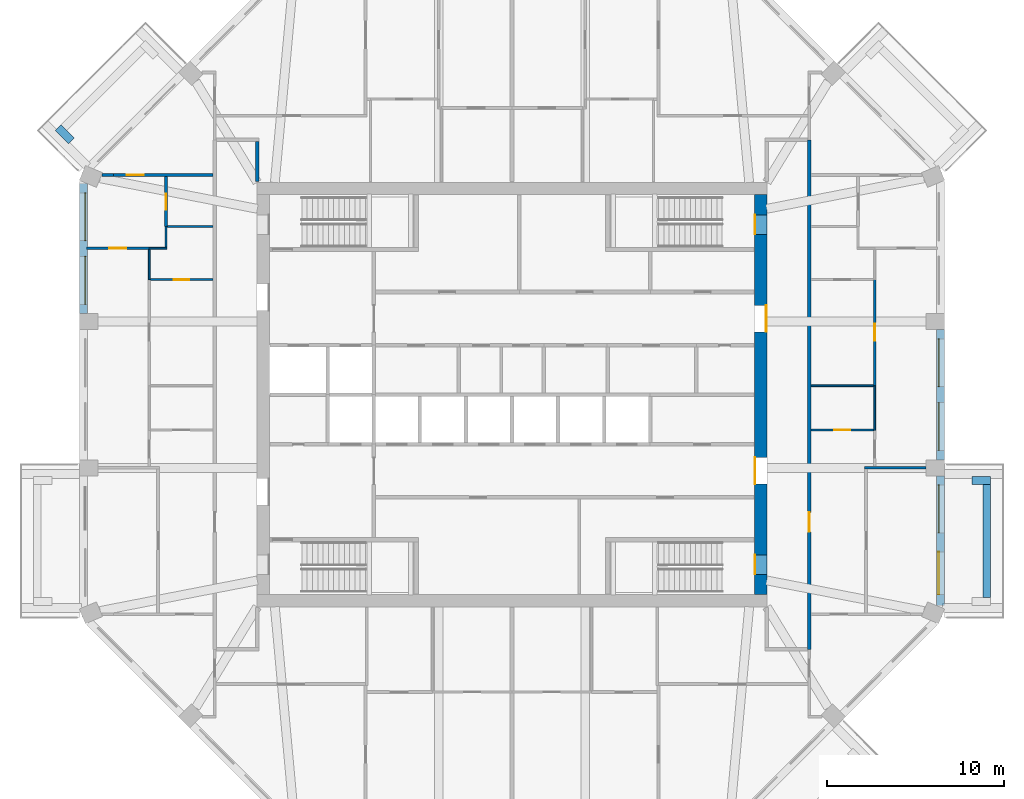
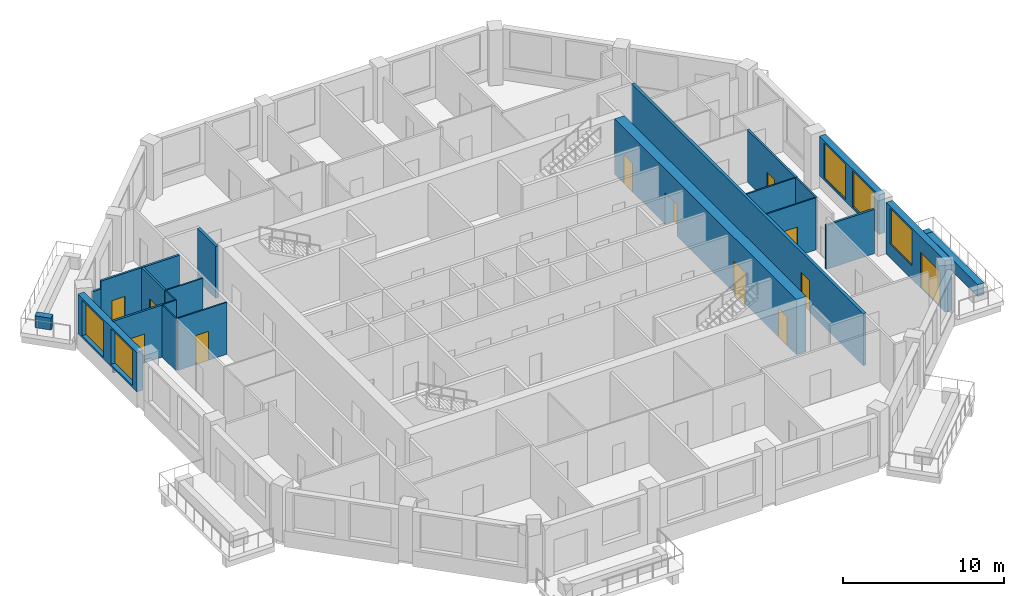
# One storey, part 6 of 10: 23 walls, 12 doors, 5 windows, 17 openings.
"""IFC4 building model written with IfcOpenShell, lengths in metres."""

from ifc_helpers import new_model, si_unit, direction, frame, frame_2d, origin, place, context, subcontext, project, spatial, rectangle, extrude, material, layer, layer_set, type_object, element, fill, save


model = new_model("IFC4")

# Units and contexts
model_context = context("Model", 3, precision=1e-05, world=origin(), true_north=direction((0.0, 1.0)))
body_context = subcontext(model_context, "Body", "Model", "MODEL_VIEW")
ifc_project = project(units=[si_unit("LENGTHUNIT", "METRE"), si_unit("AREAUNIT", "SQUARE_METRE"), si_unit("VOLUMEUNIT", "CUBIC_METRE"), si_unit("PLANEANGLEUNIT", "RADIAN"), si_unit("MASSUNIT", "GRAM", prefix="KILO")], contexts=[model_context])

# Site, building, storey
site_placement = place(None, origin())
site = spatial("IfcSite", under=ifc_project, at=site_placement, CompositionType="ELEMENT")
building_placement = place(site_placement, origin())
building = spatial("IfcBuilding", under=site, at=building_placement, Name="Msitu Wima Residences", CompositionType="ELEMENT")
storey_placement = place(building_placement, frame((0.0, 0.0, 187.5)))
storey = spatial("IfcBuildingStorey", under=building, at=storey_placement, Name="L43", CompositionType="ELEMENT", Elevation=187.5)

# Walls
ifc_material_1 = material(Name="Facing brick")
ifc_layer_1 = layer(ifc_material_1, 0.06494140625, Name="Facing brick")
ifc_material_2 = material(Name="Concrete C40/50", Category="concrete")
ifc_layer_2 = layer(ifc_material_2, 0.156005859375, Name="Concrete C40/50")
ifc_material_3 = material(Name="Waterproofing membrane")
ifc_layer_3 = layer(ifc_material_3, 0.00390625, Name="Waterproofing membrane")
ifc_material_4 = material(Name="Planting soil and planting")
ifc_layer_4 = layer(ifc_material_4, 0.22509765625, Name="Planting soil and planting")
ifc_layer_set_1 = layer_set([ifc_layer_1, ifc_layer_2, ifc_layer_3, ifc_layer_4], Name="Concrete C40/50")
wall_type_1 = type_object("IfcWallType", Name="Balcony planter PLANTER PL450", PredefinedType="USERDEFINED", material=ifc_layer_set_1)
wall_1_placement = place(storey_placement, frame((26.824951171875, -11.461669921875, 0.0), z_axis=(0.0, 0.0, 1.0), x_axis=(0.0, 1.0, 0.0)))
element("IfcWall", 1, at=wall_1_placement, inside=storey, type_object=wall_type_1, Name="Balcony planter E0 L43", ObjectType="PLANTER", PredefinedType="USERDEFINED", context=body_context, shape_type="SweptSolid", body=[
    extrude(rectangle(XDim=6.37451171875, YDim=0.449951171875, at=frame_2d((3.187255859375, 0.0))), origin(), (0.0, 0.0, 1.0), 0.89990234375),
])
for number, where, z_axis, x_axis, name in (
    (2, (26.0, -4.8623046875, 0.0), (0.0, 0.0, 1.0), (1.0, 0.0, 0.0), "Balcony planter E0 L43"),
    (3, (-24.901611328125, 14.338623046875, 0.0), (0.0, 0.0, 1.0), (-0.707106781187, 0.707106781187, 0.0), "Balcony planter NW1 L43"),
):
    element("IfcWall", number, at=place(storey_placement, frame(where, z_axis=z_axis, x_axis=x_axis)), inside=storey, type_object=wall_type_1, Name=name, ObjectType="PLANTER", PredefinedType="USERDEFINED", context=body_context, shape_type="SweptSolid", body=[
        extrude(rectangle(XDim=1.050048828125, YDim=0.449951171875, at=frame_2d((0.52490234375, 0.0))), origin(), (0.0, 0.0, 1.0), 0.89990234375),
    ])

# Wall, openings, door, window
ifc_material_5 = material(Name="Brick (red buff mix)", Category="masonry")
ifc_layer_5 = layer(ifc_material_5, 0.449951171875)
ifc_layer_set_2 = layer_set([ifc_layer_5], Name="Brick (red buff mix)")
wall_type_2 = type_object("IfcWallType", Name="Brick infill wall BW450", PredefinedType="SOLIDWALL", material=ifc_layer_set_2)
wall_2_placement = place(storey_placement, frame((24.22509765625, -11.9248046875, 0.0), z_axis=(0.0, 0.0, 1.0), x_axis=(0.0, 1.0, 0.0)))
wall_2 = element("IfcWall", 4, at=wall_2_placement, inside=storey, type_object=wall_type_2, Name="Brick infill wall L43 E0", PredefinedType="SOLIDWALL", context=body_context, shape_type="SweptSolid", body=[
    extrude(rectangle(XDim=7.337646484375, YDim=0.449951171875, at=frame_2d((3.6689453125, 0.0))), origin(), (0.0, 0.0, 1.0), 3.89990234375),
])
opening_1_placement = place(wall_2_placement, frame((0.63427734375, 0.0, 0.0)))
opening_1 = element("IfcOpeningElement", 5, at=opening_1_placement, cuts=wall_2, Name="Opening D43-45.001", PredefinedType="OPENING", context=body_context, shape_type="SweptSolid", body=[
    extrude(rectangle(XDim=2.39990234375, YDim=2.699951171875, at=frame_2d((1.199951171875, 1.35009765625))), frame((0.0, 0.23486328125, 0.0), z_axis=(0.0, -1.0, 0.0), x_axis=(1.0, 0.0, 0.0)), (0.0, 0.0, 1.0), 0.469970703125),
])
opening_2_placement = place(wall_2_placement, frame((4.11865234375, 0.0, 1.050048828125)))
opening_2 = element("IfcOpeningElement", 6, at=opening_2_placement, cuts=wall_2, Name="Opening W43-45.001", PredefinedType="OPENING", context=body_context, shape_type="SweptSolid", body=[
    extrude(rectangle(XDim=2.699951171875, YDim=2.699951171875, at=frame_2d((1.35009765625, 1.35009765625))), frame((0.0, 0.23486328125, 0.0), z_axis=(0.0, -1.0, 0.0), x_axis=(1.0, 0.0, 0.0)), (0.0, 0.0, 1.0), 0.469970703125),
])
ifc_material_6 = material(Name="Anodised aluminium, bronze finish, clear low-emissivity double glazing", Category="aluminium")
door_type_1 = type_object("IfcDoorType", Name="Balcony door D2400x2700", OperationType="SLIDING_TO_LEFT", PredefinedType="DOOR", material=ifc_material_6)
door_1_placement = place(opening_1_placement, origin())
door_1 = element("IfcDoor", 7, at=door_1_placement, inside=storey, type_object=door_type_1, Name="Balcony door L43 E0", OperationType="SINGLE_SWING_LEFT", OverallHeight=2.699951171875, OverallWidth=2.39990234375, PredefinedType="DOOR", context=body_context, shape_type="SweptSolid", body=[
    extrude(rectangle(XDim=2.39990234375, YDim=2.699951171875, at=frame_2d((1.199951171875, 1.35009765625))), frame((0.0, 0.1298828125, 0.0), z_axis=(0.0, -1.0, 0.0), x_axis=(1.0, 0.0, 0.0)), (0.0, 0.0, 1.0), 0.050048828125),
])
fill(opening_1, door_1)
window_type = type_object("IfcWindowType", Name="Window W2700x2700", PartitioningType="DOUBLE_PANEL_VERTICAL", PredefinedType="WINDOW", material=ifc_material_6)
window_1_placement = place(opening_2_placement, origin())
window_1 = element("IfcWindow", 8, at=window_1_placement, inside=storey, type_object=window_type, Name="Window L43 E0.2", OverallHeight=2.699951171875, OverallWidth=2.699951171875, PartitioningType="SINGLE_PANEL", PredefinedType="WINDOW", context=body_context, shape_type="SweptSolid", body=[
    extrude(rectangle(XDim=2.699951171875, YDim=2.699951171875, at=frame_2d((1.35009765625, 1.35009765625))), frame((0.0, 0.135009765625, 0.0), z_axis=(0.0, -1.0, 0.0), x_axis=(1.0, 0.0, 0.0)), (0.0, 0.0, 1.0), 0.06005859375),
])
fill(opening_2, window_1)

# Wall, openings, windows
wall_3_placement = place(storey_placement, frame((24.22509765625, -3.687255859375, 0.89990234375), z_axis=(0.0, 0.0, 1.0), x_axis=(0.0, 1.0, 0.0)))
wall_3 = element("IfcWall", 9, at=wall_3_placement, inside=storey, type_object=wall_type_2, Name="Brick infill wall L43 E1", PredefinedType="SOLIDWALL", context=body_context, shape_type="SweptSolid", body=[
    extrude(rectangle(XDim=7.37451171875, YDim=0.449951171875, at=frame_2d((3.687255859375, 0.0))), origin(), (0.0, 0.0, 1.0), 3.0),
])
opening_3_placement = place(wall_3_placement, frame((0.537353515625, 0.0, 0.14990234375)))
opening_3 = element("IfcOpeningElement", 10, at=opening_3_placement, cuts=wall_3, Name="Opening W43-45.002", PredefinedType="OPENING", context=body_context, shape_type="SweptSolid", body=[
    extrude(rectangle(XDim=2.699951171875, YDim=2.699951171875, at=frame_2d((1.35009765625, 1.35009765625))), frame((0.0, 0.23486328125, 0.0), z_axis=(0.0, -1.0, 0.0), x_axis=(1.0, 0.0, 0.0)), (0.0, 0.0, 1.0), 0.469970703125),
])
opening_4_placement = place(wall_3_placement, frame((4.13720703125, 0.0, 0.14990234375)))
opening_4 = element("IfcOpeningElement", 11, at=opening_4_placement, cuts=wall_3, Name="Opening W43-45.003", PredefinedType="OPENING", context=body_context, shape_type="SweptSolid", body=[
    extrude(rectangle(XDim=2.699951171875, YDim=2.699951171875, at=frame_2d((1.35009765625, 1.35009765625))), frame((0.0, 0.23486328125, 0.0), z_axis=(0.0, -1.0, 0.0), x_axis=(1.0, 0.0, 0.0)), (0.0, 0.0, 1.0), 0.469970703125),
])
window_2_placement = place(opening_3_placement, origin())
window_2 = element("IfcWindow", 12, at=window_2_placement, inside=storey, type_object=window_type, Name="Window L43 E1.1", OverallHeight=2.699951171875, OverallWidth=2.699951171875, PartitioningType="SINGLE_PANEL", PredefinedType="WINDOW", context=body_context, shape_type="SweptSolid", body=[
    extrude(rectangle(XDim=2.699951171875, YDim=2.699951171875, at=frame_2d((1.35009765625, 1.35009765625))), frame((0.0, 0.135009765625, 0.0), z_axis=(0.0, -1.0, 0.0), x_axis=(1.0, 0.0, 0.0)), (0.0, 0.0, 1.0), 0.06005859375),
])
fill(opening_3, window_2)
window_3_placement = place(opening_4_placement, origin())
window_3 = element("IfcWindow", 13, at=window_3_placement, inside=storey, type_object=window_type, Name="Window L43 E1.2", OverallHeight=2.699951171875, OverallWidth=2.699951171875, PartitioningType="SINGLE_PANEL", PredefinedType="WINDOW", context=body_context, shape_type="SweptSolid", body=[
    extrude(rectangle(XDim=2.699951171875, YDim=2.699951171875, at=frame_2d((1.35009765625, 1.35009765625))), frame((0.0, 0.135009765625, 0.0), z_axis=(0.0, -1.0, 0.0), x_axis=(1.0, 0.0, 0.0)), (0.0, 0.0, 1.0), 0.06005859375),
])
fill(opening_4, window_3)

wall_4_placement = place(storey_placement, frame((-24.22509765625, 11.9248046875, 0.89990234375), z_axis=(0.0, 0.0, 1.0), x_axis=(0.0, -1.0, 0.0)))
wall_4 = element("IfcWall", 14, at=wall_4_placement, inside=storey, type_object=wall_type_2, Name="Brick infill wall L43 W0", PredefinedType="SOLIDWALL", context=body_context, shape_type="SweptSolid", body=[
    extrude(rectangle(XDim=7.337646484375, YDim=0.449951171875, at=frame_2d((3.6689453125, 0.0))), origin(), (0.0, 0.0, 1.0), 3.0),
])
opening_5_placement = place(wall_4_placement, frame((0.518798828125, 0.0, 0.14990234375)))
opening_5 = element("IfcOpeningElement", 15, at=opening_5_placement, cuts=wall_4, Name="Opening W43-45.029", PredefinedType="OPENING", context=body_context, shape_type="SweptSolid", body=[
    extrude(rectangle(XDim=2.699951171875, YDim=2.699951171875, at=frame_2d((1.35009765625, 1.35009765625))), frame((0.0, 0.23486328125, 0.0), z_axis=(0.0, -1.0, 0.0), x_axis=(1.0, 0.0, 0.0)), (0.0, 0.0, 1.0), 0.469970703125),
])
opening_6_placement = place(wall_4_placement, frame((4.11865234375, 0.0, 0.14990234375)))
opening_6 = element("IfcOpeningElement", 16, at=opening_6_placement, cuts=wall_4, Name="Opening W43-45.030", PredefinedType="OPENING", context=body_context, shape_type="SweptSolid", body=[
    extrude(rectangle(XDim=2.699951171875, YDim=2.699951171875, at=frame_2d((1.35009765625, 1.35009765625))), frame((0.0, 0.23486328125, 0.0), z_axis=(0.0, -1.0, 0.0), x_axis=(1.0, 0.0, 0.0)), (0.0, 0.0, 1.0), 0.469970703125),
])
window_4_placement = place(opening_5_placement, origin())
window_4 = element("IfcWindow", 17, at=window_4_placement, inside=storey, type_object=window_type, Name="Window L43 W0.1", OverallHeight=2.699951171875, OverallWidth=2.699951171875, PartitioningType="SINGLE_PANEL", PredefinedType="WINDOW", context=body_context, shape_type="SweptSolid", body=[
    extrude(rectangle(XDim=2.699951171875, YDim=2.699951171875, at=frame_2d((1.35009765625, 1.35009765625))), frame((0.0, 0.135009765625, 0.0), z_axis=(0.0, -1.0, 0.0), x_axis=(1.0, 0.0, 0.0)), (0.0, 0.0, 1.0), 0.06005859375),
])
fill(opening_5, window_4)
window_5_placement = place(opening_6_placement, origin())
window_5 = element("IfcWindow", 18, at=window_5_placement, inside=storey, type_object=window_type, Name="Window L43 W0.2", OverallHeight=2.699951171875, OverallWidth=2.699951171875, PartitioningType="SINGLE_PANEL", PredefinedType="WINDOW", context=body_context, shape_type="SweptSolid", body=[
    extrude(rectangle(XDim=2.699951171875, YDim=2.699951171875, at=frame_2d((1.35009765625, 1.35009765625))), frame((0.0, 0.135009765625, 0.0), z_axis=(0.0, -1.0, 0.0), x_axis=(1.0, 0.0, 0.0)), (0.0, 0.0, 1.0), 0.06005859375),
])
fill(opening_6, window_5)

# Wall, openings, doors
ifc_material_7 = material(Name="Concrete C60/75", Category="concrete")
ifc_layer_6 = layer(ifc_material_7, 0.699951171875)
ifc_layer_set_3 = layer_set([ifc_layer_6], Name="Concrete C60/75")
wall_type_3 = type_object("IfcWallType", Name="Core wall CW700 C60/75", PredefinedType="SHEAR", material=ifc_layer_set_3)
wall_5_placement = place(storey_placement, frame((14.050048828125, -11.300048828125, 0.0), z_axis=(0.0, 0.0, 1.0), x_axis=(0.0, 1.0, 0.0)))
wall_5 = element("IfcWall", 19, at=wall_5_placement, inside=storey, type_object=wall_type_3, Name="Core wall", PredefinedType="SHEAR", context=body_context, shape_type="SweptSolid", body=[
    extrude(rectangle(XDim=22.60009765625, YDim=0.699951171875, at=frame_2d((11.300048828125, 0.0))), origin(), (0.0, 0.0, 1.0), 4.199951171875),
])
opening_7_placement = place(wall_5_placement, frame((20.35009765625, 0.0, 0.0)))
opening_7 = element("IfcOpeningElement", 20, at=opening_7_placement, cuts=wall_5, Name="Opening D43-45.073", PredefinedType="OPENING", context=body_context, shape_type="SweptSolid", body=[
    extrude(rectangle(XDim=1.10009765625, YDim=2.199951171875, at=frame_2d((0.550048828125, 1.10009765625))), frame((0.0, 0.35986328125, 0.0), z_axis=(0.0, -1.0, 0.0), x_axis=(1.0, 0.0, 0.0)), (0.0, 0.0, 1.0), 0.719970703125),
])
opening_8_placement = place(wall_5_placement, frame((1.14990234375, 0.0, 0.0)))
opening_8 = element("IfcOpeningElement", 21, at=opening_8_placement, cuts=wall_5, Name="Opening D43-45.074", PredefinedType="OPENING", context=body_context, shape_type="SweptSolid", body=[
    extrude(rectangle(XDim=1.10009765625, YDim=2.199951171875, at=frame_2d((0.550048828125, 1.10009765625))), frame((0.0, 0.35986328125, 0.0), z_axis=(0.0, -1.0, 0.0), x_axis=(1.0, 0.0, 0.0)), (0.0, 0.0, 1.0), 0.719970703125),
])
opening_9_placement = place(wall_5_placement, frame((14.85009765625, 0.0, 0.0)))
opening_9 = element("IfcOpeningElement", 22, at=opening_9_placement, cuts=wall_5, Name="Opening D43-45.060", PredefinedType="OPENING", context=body_context, shape_type="SweptSolid", body=[
    extrude(rectangle(XDim=1.5, YDim=2.39990234375, at=frame_2d((0.75, 1.199951171875))), frame((0.0, 0.35986328125, 0.0), z_axis=(0.0, -1.0, 0.0), x_axis=(1.0, 0.0, 0.0)), (0.0, 0.0, 1.0), 0.719970703125),
])
opening_10_placement = place(wall_5_placement, frame((6.25, 0.0, 0.0)))
opening_10 = element("IfcOpeningElement", 23, at=opening_10_placement, cuts=wall_5, Name="Opening D43-45.061", PredefinedType="OPENING", context=body_context, shape_type="SweptSolid", body=[
    extrude(rectangle(XDim=1.5, YDim=2.39990234375, at=frame_2d((0.75, 1.199951171875))), frame((0.0, 0.35986328125, 0.0), z_axis=(0.0, -1.0, 0.0), x_axis=(1.0, 0.0, 0.0)), (0.0, 0.0, 1.0), 0.719970703125),
])
ifc_material_8 = material(Name="Steel framed glazed door, fire resisting", Category="steel")
door_type_2 = type_object("IfcDoorType", Name="Lobby door D07 1500x2400", OperationType="DOUBLE_DOOR_SINGLE_SWING", PredefinedType="DOOR", material=ifc_material_8)
door_2_placement = place(opening_9_placement, origin())
door_2 = element("IfcDoor", 24, at=door_2_placement, inside=storey, type_object=door_type_2, Name="Lobby door", OperationType="DOUBLE_DOOR_SINGLE_SWING", OverallHeight=2.39990234375, OverallWidth=1.5, PredefinedType="DOOR", context=body_context, shape_type="SweptSolid", body=[
    extrude(rectangle(XDim=1.5, YDim=2.39990234375, at=frame_2d((0.75, 1.199951171875))), frame((0.0, -0.294921875, 0.0), z_axis=(0.0, -1.0, 0.0), x_axis=(1.0, 0.0, 0.0)), (0.0, 0.0, 1.0), 0.050048828125),
])
fill(opening_9, door_2)
door_3_placement = place(opening_10_placement, origin())
door_3 = element("IfcDoor", 25, at=door_3_placement, inside=storey, type_object=door_type_2, Name="Lobby door", OperationType="DOUBLE_DOOR_SINGLE_SWING", OverallHeight=2.39990234375, OverallWidth=1.5, PredefinedType="DOOR", context=body_context, shape_type="SweptSolid", body=[
    extrude(rectangle(XDim=1.5, YDim=2.39990234375, at=frame_2d((0.75, 1.199951171875))), frame((0.0, 0.34521484375, 0.0), z_axis=(0.0, -1.0, 0.0), x_axis=(1.0, 0.0, 0.0)), (0.0, 0.0, 1.0), 0.050048828125),
])
fill(opening_10, door_3)
ifc_material_9 = material(Name="Steel door, fire resisting, panic bar", Category="steel")
door_type_3 = type_object("IfcDoorType", Name="Stair door D06 1100x2200", OperationType="SINGLE_SWING_LEFT", PredefinedType="DOOR", material=ifc_material_9)
door_4_placement = place(opening_7_placement, origin())
door_4 = element("IfcDoor", 26, at=door_4_placement, inside=storey, type_object=door_type_3, Name="Stair door", OperationType="SINGLE_SWING_LEFT", OverallHeight=2.199951171875, OverallWidth=1.10009765625, PredefinedType="DOOR", context=body_context, shape_type="SweptSolid", body=[
    extrude(rectangle(XDim=1.10009765625, YDim=2.199951171875, at=frame_2d((0.550048828125, 1.10009765625))), frame((0.0, 0.34521484375, 0.0), z_axis=(0.0, -1.0, 0.0), x_axis=(1.0, 0.0, 0.0)), (0.0, 0.0, 1.0), 0.050048828125),
])
fill(opening_7, door_4)
door_5_placement = place(opening_8_placement, origin())
door_5 = element("IfcDoor", 27, at=door_5_placement, inside=storey, type_object=door_type_3, Name="Stair door", OperationType="SINGLE_SWING_RIGHT", OverallHeight=2.199951171875, OverallWidth=1.10009765625, PredefinedType="DOOR", context=body_context, shape_type="SweptSolid", body=[
    extrude(rectangle(XDim=1.10009765625, YDim=2.199951171875, at=frame_2d((0.550048828125, 1.10009765625))), frame((0.0, 0.34521484375, 0.0), z_axis=(0.0, -1.0, 0.0), x_axis=(1.0, 0.0, 0.0)), (0.0, 0.0, 1.0), 0.050048828125),
])
fill(opening_8, door_5)

# Wall
ifc_material_10 = material(Name="Plaster")
ifc_layer_7 = layer(ifc_material_10, 0.011962890625, Name="Plaster")
ifc_material_11 = material(Name="Concrete blockwork", Category="masonry")
ifc_layer_8 = layer(ifc_material_11, 0.176025390625, Name="Concrete blockwork")
ifc_layer_9 = layer(ifc_material_10, 0.011962890625, Name="Plaster")
ifc_layer_set_4 = layer_set([ifc_layer_7, ifc_layer_8, ifc_layer_9], Name="Concrete blockwork")
wall_type_4 = type_object("IfcWallType", Name="Corridor wall FW200", PredefinedType="PARTITIONING", material=ifc_layer_set_4)
wall_6_placement = place(storey_placement, frame((-14.39990234375, 12.030029296875, 0.0), z_axis=(0.0, 0.0, 1.0), x_axis=(0.0, 1.0, 0.0)))
element("IfcWall", 28, at=wall_6_placement, inside=storey, type_object=wall_type_4, Name="Corridor wall", PredefinedType="PARTITIONING", context=body_context, shape_type="SweptSolid", body=[
    extrude(rectangle(XDim=2.27001953125, YDim=0.199951171875, at=frame_2d((1.135009765625, 0.0))), origin(), (0.0, 0.0, 1.0), 3.949951171875),
])

# Wall, opening, door
wall_7_placement = place(storey_placement, frame((16.800048828125, -14.39990234375, 0.0), z_axis=(0.0, 0.0, 1.0), x_axis=(0.0, 1.0, 0.0)))
wall_7 = element("IfcWall", 29, at=wall_7_placement, inside=storey, type_object=wall_type_4, Name="Corridor wall", PredefinedType="PARTITIONING", context=body_context, shape_type="SweptSolid", body=[
    extrude(rectangle(XDim=28.7998046875, YDim=0.199951171875, at=frame_2d((14.39990234375, 0.0))), origin(), (0.0, 0.0, 1.0), 3.949951171875),
])
opening_11_placement = place(wall_7_placement, frame((6.64990234375, 0.0, 0.0)))
opening_11 = element("IfcOpeningElement", 30, at=opening_11_placement, cuts=wall_7, Name="Opening D43-45.008", PredefinedType="OPENING", context=body_context, shape_type="SweptSolid", body=[
    extrude(rectangle(XDim=1.10009765625, YDim=2.39990234375, at=frame_2d((0.550048828125, 1.199951171875))), frame((0.0, 0.10986328125, 0.0), z_axis=(0.0, -1.0, 0.0), x_axis=(1.0, 0.0, 0.0)), (0.0, 0.0, 1.0), 0.219970703125),
])
ifc_material_12 = material(Name="Timber flush door, fire resisting, self-closing", Category="wood")
door_type_4 = type_object("IfcDoorType", Name="Flat entrance door D01 1100x2400", OperationType="SINGLE_SWING_LEFT", PredefinedType="DOOR", material=ifc_material_12)
door_6_placement = place(opening_11_placement, origin())
door_6 = element("IfcDoor", 31, at=door_6_placement, inside=storey, type_object=door_type_4, Name="Flat entrance door", OperationType="SINGLE_SWING_RIGHT", OverallHeight=2.39990234375, OverallWidth=1.10009765625, PredefinedType="DOOR", context=body_context, shape_type="SweptSolid", body=[
    extrude(rectangle(XDim=1.10009765625, YDim=2.39990234375, at=frame_2d((0.550048828125, 1.199951171875))), frame((0.0, 0.02490234375, 0.0), z_axis=(0.0, -1.0, 0.0), x_axis=(1.0, 0.0, 0.0)), (0.0, 0.0, 1.0), 0.050048828125),
])
fill(opening_11, door_6)

ifc_layer_10 = layer(ifc_material_10, 0.011962890625, Name="Plaster")
ifc_layer_11 = layer(ifc_material_11, 0.1259765625, Name="Concrete blockwork")
ifc_layer_12 = layer(ifc_material_10, 0.011962890625, Name="Plaster")
ifc_layer_set_5 = layer_set([ifc_layer_10, ifc_layer_11, ifc_layer_12], Name="Concrete blockwork")
wall_type_5 = type_object("IfcWallType", Name="Partition PW150", PredefinedType="PARTITIONING", material=ifc_layer_set_5)
wall_8_placement = place(storey_placement, frame((-24.054931640625, 8.27001953125, 0.0), z_axis=(0.0, 0.0, 1.0), x_axis=(1.0, 0.0, 0.0)))
wall_8 = element("IfcWall", 32, at=wall_8_placement, inside=storey, type_object=wall_type_5, Name="Partition", PredefinedType="PARTITIONING", context=body_context, shape_type="SweptSolid", body=[
    extrude(rectangle(XDim=3.554931640625, YDim=0.14990234375, at=frame_2d((1.77734375, 0.0))), origin(), (0.0, 0.0, 1.0), 3.949951171875),
])
opening_12_placement = place(wall_8_placement, frame((1.300048828125, 0.0, 0.0)))
opening_12 = element("IfcOpeningElement", 33, at=opening_12_placement, cuts=wall_8, Name="Opening D43-45.045", PredefinedType="OPENING", context=body_context, shape_type="SweptSolid", body=[
    extrude(rectangle(XDim=0.949951171875, YDim=2.199951171875, at=frame_2d((0.47509765625, 1.10009765625))), frame((0.0, 0.0849609375, 0.0), z_axis=(0.0, -1.0, 0.0), x_axis=(1.0, 0.0, 0.0)), (0.0, 0.0, 1.0), 0.169921875),
])
ifc_material_13 = material(Name="Timber flush door", Category="wood")
door_type_5 = type_object("IfcDoorType", Name="Room door D12 950x2200", OperationType="SINGLE_SWING_LEFT", PredefinedType="DOOR", material=ifc_material_13)
door_7_placement = place(opening_12_placement, origin())
door_7 = element("IfcDoor", 34, at=door_7_placement, inside=storey, type_object=door_type_5, Name="Room door", OperationType="SINGLE_SWING_LEFT", OverallHeight=2.199951171875, OverallWidth=0.949951171875, PredefinedType="DOOR", context=body_context, shape_type="SweptSolid", body=[
    extrude(rectangle(XDim=0.949951171875, YDim=2.199951171875, at=frame_2d((0.47509765625, 1.10009765625))), frame((0.0, 0.02490234375, 0.0), z_axis=(0.0, -1.0, 0.0), x_axis=(1.0, 0.0, 0.0)), (0.0, 0.0, 1.0), 0.050048828125),
])
fill(opening_12, door_7)

# Wall
wall_9_placement = place(storey_placement, frame((-23.169677734375, 12.409912109375, 0.0), z_axis=(0.0, 0.0, 1.0), x_axis=(1.0, 0.0, 0.0)))
element("IfcWall", 35, at=wall_9_placement, inside=storey, type_object=wall_type_5, Name="Partition", PredefinedType="PARTITIONING", context=body_context, shape_type="SweptSolid", body=[
    extrude(rectangle(XDim=0.640380859375, YDim=0.14990234375, at=frame_2d((0.3203125, 0.0))), origin(), (0.0, 0.0, 1.0), 3.35009765625),
])

# Wall, opening, door
wall_10_placement = place(storey_placement, frame((-22.529296875, 12.409912109375, 0.0), z_axis=(0.0, 0.0, 1.0), x_axis=(1.0, 0.0, 0.0)))
wall_10 = element("IfcWall", 36, at=wall_10_placement, inside=storey, type_object=wall_type_5, Name="Partition", PredefinedType="PARTITIONING", context=body_context, shape_type="SweptSolid", body=[
    extrude(rectangle(XDim=5.62939453125, YDim=0.14990234375, at=frame_2d((2.814697265625, 0.0))), origin(), (0.0, 0.0, 1.0), 3.949951171875),
])
opening_13_placement = place(wall_10_placement, frame((0.759521484375, 0.0, 0.0)))
opening_13 = element("IfcOpeningElement", 37, at=opening_13_placement, cuts=wall_10, Name="Opening D43-45.046", PredefinedType="OPENING", context=body_context, shape_type="SweptSolid", body=[
    extrude(rectangle(XDim=0.949951171875, YDim=2.199951171875, at=frame_2d((0.47509765625, 1.10009765625))), frame((0.0, 0.0849609375, 0.0), z_axis=(0.0, -1.0, 0.0), x_axis=(1.0, 0.0, 0.0)), (0.0, 0.0, 1.0), 0.169921875),
])
door_8_placement = place(opening_13_placement, origin())
door_8 = element("IfcDoor", 38, at=door_8_placement, inside=storey, type_object=door_type_5, Name="Room door", OperationType="SINGLE_SWING_LEFT", OverallHeight=2.199951171875, OverallWidth=0.949951171875, PredefinedType="DOOR", context=body_context, shape_type="SweptSolid", body=[
    extrude(rectangle(XDim=0.949951171875, YDim=2.199951171875, at=frame_2d((0.47509765625, 1.10009765625))), frame((0.0, 0.02490234375, 0.0), z_axis=(0.0, -1.0, 0.0), x_axis=(1.0, 0.0, 0.0)), (0.0, 0.0, 1.0), 0.050048828125),
])
fill(opening_13, door_8)

wall_11_placement = place(storey_placement, frame((-19.550048828125, 9.5, 0.0), z_axis=(0.0, 0.0, 1.0), x_axis=(0.0, 1.0, 0.0)))
wall_11 = element("IfcWall", 39, at=wall_11_placement, inside=storey, type_object=wall_type_5, Name="Partition", PredefinedType="PARTITIONING", context=body_context, shape_type="SweptSolid", body=[
    extrude(rectangle(XDim=2.8349609375, YDim=0.14990234375, at=frame_2d((1.41748046875, 0.0))), origin(), (0.0, 0.0, 1.0), 3.949951171875),
])
opening_14_placement = place(wall_11_placement, frame((0.949951171875, 0.0, 0.0)))
opening_14 = element("IfcOpeningElement", 40, at=opening_14_placement, cuts=wall_11, Name="Opening D43-45.033", PredefinedType="OPENING", context=body_context, shape_type="SweptSolid", body=[
    extrude(rectangle(XDim=0.89990234375, YDim=2.199951171875, at=frame_2d((0.449951171875, 1.10009765625))), frame((0.0, 0.0849609375, 0.0), z_axis=(0.0, -1.0, 0.0), x_axis=(1.0, 0.0, 0.0)), (0.0, 0.0, 1.0), 0.169921875),
])
door_type_6 = type_object("IfcDoorType", Name="Service door D05 900x2200", OperationType="SINGLE_SWING_LEFT", PredefinedType="DOOR", material=ifc_material_13)
door_9_placement = place(opening_14_placement, origin())
door_9 = element("IfcDoor", 41, at=door_9_placement, inside=storey, type_object=door_type_6, Name="Service door", OperationType="SINGLE_SWING_RIGHT", OverallHeight=2.199951171875, OverallWidth=0.89990234375, PredefinedType="DOOR", context=body_context, shape_type="SweptSolid", body=[
    extrude(rectangle(XDim=0.89990234375, YDim=2.199951171875, at=frame_2d((0.449951171875, 1.10009765625))), frame((0.0, 0.02490234375, 0.0), z_axis=(0.0, -1.0, 0.0), x_axis=(1.0, 0.0, 0.0)), (0.0, 0.0, 1.0), 0.050048828125),
])
fill(opening_14, door_9)

# Wall
wall_12_placement = place(storey_placement, frame((19.925048828125, -4.139892578125, 0.0), z_axis=(0.0, 0.0, 1.0), x_axis=(1.0, 0.0, 0.0)))
element("IfcWall", 42, at=wall_12_placement, inside=storey, type_object=wall_type_5, Name="Partition", PredefinedType="PARTITIONING", context=body_context, shape_type="SweptSolid", body=[
    extrude(rectangle(XDim=3.474853515625, YDim=0.14990234375, at=frame_2d((1.7373046875, 0.0))), origin(), (0.0, 0.0, 1.0), 3.35009765625),
])

# Wall, opening, door
wall_13_placement = place(storey_placement, frame((20.5, 0.5, 0.0), z_axis=(0.0, 0.0, 1.0), x_axis=(0.0, 1.0, 0.0)))
wall_13 = element("IfcWall", 43, at=wall_13_placement, inside=storey, type_object=wall_type_5, Name="Partition", PredefinedType="PARTITIONING", context=body_context, shape_type="SweptSolid", body=[
    extrude(rectangle(XDim=6.0, YDim=0.14990234375, at=frame_2d((3.0, 0.0))), origin(), (0.0, 0.0, 1.0), 3.949951171875),
])
opening_15_placement = place(wall_13_placement, frame((2.550048828125, 0.0, 0.0)))
opening_15 = element("IfcOpeningElement", 44, at=opening_15_placement, cuts=wall_13, Name="Opening D43-45.010", PredefinedType="OPENING", context=body_context, shape_type="SweptSolid", body=[
    extrude(rectangle(XDim=0.949951171875, YDim=2.199951171875, at=frame_2d((0.47509765625, 1.10009765625))), frame((0.0, 0.0849609375, 0.0), z_axis=(0.0, -1.0, 0.0), x_axis=(1.0, 0.0, 0.0)), (0.0, 0.0, 1.0), 0.169921875),
])
door_10_placement = place(opening_15_placement, origin())
door_10 = element("IfcDoor", 45, at=door_10_placement, inside=storey, type_object=door_type_5, Name="Room door", OperationType="SINGLE_SWING_LEFT", OverallHeight=2.199951171875, OverallWidth=0.949951171875, PredefinedType="DOOR", context=body_context, shape_type="SweptSolid", body=[
    extrude(rectangle(XDim=0.949951171875, YDim=2.199951171875, at=frame_2d((0.47509765625, 1.10009765625))), frame((0.0, 0.02490234375, 0.0), z_axis=(0.0, -1.0, 0.0), x_axis=(1.0, 0.0, 0.0)), (0.0, 0.0, 1.0), 0.050048828125),
])
fill(opening_15, door_10)

# Wall
ifc_material_14 = material(Name="Ceramic tiles")
ifc_layer_13 = layer(ifc_material_14, 0.008056640625, Name="Ceramic tiles")
ifc_material_15 = material(Name="Moisture-resistant board")
ifc_layer_14 = layer(ifc_material_15, 0.012451171875, Name="Moisture-resistant board")
ifc_material_16 = material(Name="Light-gauge stud framing with mineral wool")
ifc_layer_15 = layer(ifc_material_16, 0.06689453125, Name="Light-gauge stud framing with mineral wool")
ifc_layer_16 = layer(ifc_material_15, 0.012451171875, Name="Moisture-resistant board")
ifc_layer_set_6 = layer_set([ifc_layer_13, ifc_layer_14, ifc_layer_15, ifc_layer_16], Name="Light-gauge stud framing with mineral wool")
wall_type_6 = type_object("IfcWallType", Name="Wet wall PW100", PredefinedType="PARTITIONING", material=ifc_layer_set_6)
wall_14_placement = place(storey_placement, frame((-20.5, 6.5, 0.0), z_axis=(0.0, 0.0, 1.0), x_axis=(0.0, 1.0, 0.0)))
element("IfcWall", 46, at=wall_14_placement, inside=storey, type_object=wall_type_6, Name="Wet wall", PredefinedType="PARTITIONING", context=body_context, shape_type="SweptSolid", body=[
    extrude(rectangle(XDim=1.695068359375, YDim=0.10009765625, at=frame_2d((0.84765625, 0.0))), origin(), (0.0, 0.0, 1.0), 3.949951171875),
])

# Wall, opening, door
wall_15_placement = place(storey_placement, frame((-20.425048828125, 6.5, 0.0), z_axis=(0.0, 0.0, 1.0), x_axis=(1.0, 0.0, 0.0)))
wall_15 = element("IfcWall", 47, at=wall_15_placement, inside=storey, type_object=wall_type_6, Name="Wet wall", PredefinedType="PARTITIONING", context=body_context, shape_type="SweptSolid", body=[
    extrude(rectangle(XDim=3.525146484375, YDim=0.10009765625, at=frame_2d((1.7626953125, 0.0))), origin(), (0.0, 0.0, 1.0), 3.949951171875),
])
opening_16_placement = place(wall_15_placement, frame((1.300048828125, 0.0, 0.0)))
opening_16 = element("IfcOpeningElement", 48, at=opening_16_placement, cuts=wall_15, Name="Opening D43-45.032", PredefinedType="OPENING", context=body_context, shape_type="SweptSolid", body=[
    extrude(rectangle(XDim=0.89990234375, YDim=2.199951171875, at=frame_2d((0.449951171875, 1.10009765625))), frame((0.0, 0.06005859375, 0.0), z_axis=(0.0, -1.0, 0.0), x_axis=(1.0, 0.0, 0.0)), (0.0, 0.0, 1.0), 0.1201171875),
])
door_11_placement = place(opening_16_placement, origin())
door_11 = element("IfcDoor", 49, at=door_11_placement, inside=storey, type_object=door_type_6, Name="Service door", OperationType="SINGLE_SWING_RIGHT", OverallHeight=2.199951171875, OverallWidth=0.89990234375, PredefinedType="DOOR", context=body_context, shape_type="SweptSolid", body=[
    extrude(rectangle(XDim=0.89990234375, YDim=2.199951171875, at=frame_2d((0.449951171875, 1.10009765625))), frame((0.0, 0.02490234375, 0.0), z_axis=(0.0, -1.0, 0.0), x_axis=(1.0, 0.0, 0.0)), (0.0, 0.0, 1.0), 0.050048828125),
])
fill(opening_16, door_11)

# Walls
wall_16_placement = place(storey_placement, frame((-20.5, 8.27001953125, 0.0), z_axis=(0.0, 0.0, 1.0), x_axis=(1.0, 0.0, 0.0)))
element("IfcWall", 50, at=wall_16_placement, inside=storey, type_object=wall_type_6, Name="Wet wall", PredefinedType="PARTITIONING", context=body_context, shape_type="SweptSolid", body=[
    extrude(rectangle(XDim=1.0, YDim=0.10009765625, at=frame_2d((0.5, 0.0))), origin(), (0.0, 0.0, 1.0), 3.949951171875),
])
wall_17_placement = place(storey_placement, frame((-19.550048828125, 8.320068359375, 0.0), z_axis=(0.0, 0.0, 1.0), x_axis=(0.0, 1.0, 0.0)))
element("IfcWall", 51, at=wall_17_placement, inside=storey, type_object=wall_type_6, Name="Wet wall", PredefinedType="PARTITIONING", context=body_context, shape_type="SweptSolid", body=[
    extrude(rectangle(XDim=1.179931640625, YDim=0.10009765625, at=frame_2d((0.58984375, 0.0))), origin(), (0.0, 0.0, 1.0), 3.949951171875),
])
wall_18_placement = place(storey_placement, frame((-19.47509765625, 9.5, 0.0), z_axis=(0.0, 0.0, 1.0), x_axis=(1.0, 0.0, 0.0)))
element("IfcWall", 52, at=wall_18_placement, inside=storey, type_object=wall_type_6, Name="Wet wall", PredefinedType="PARTITIONING", context=body_context, shape_type="SweptSolid", body=[
    extrude(rectangle(XDim=2.5751953125, YDim=0.10009765625, at=frame_2d((1.28759765625, 0.0))), origin(), (0.0, 0.0, 1.0), 3.949951171875),
])

# Wall, opening, door
wall_19_placement = place(storey_placement, frame((16.89990234375, -2.0, 0.0), z_axis=(0.0, 0.0, 1.0), x_axis=(1.0, 0.0, 0.0)))
wall_19 = element("IfcWall", 53, at=wall_19_placement, inside=storey, type_object=wall_type_6, Name="Wet wall", PredefinedType="PARTITIONING", context=body_context, shape_type="SweptSolid", body=[
    extrude(rectangle(XDim=3.550048828125, YDim=0.10009765625, at=frame_2d((1.77490234375, 0.0))), origin(), (0.0, 0.0, 1.0), 3.949951171875),
])
opening_17_placement = place(wall_19_placement, frame((1.300048828125, 0.0, 0.0)))
opening_17 = element("IfcOpeningElement", 54, at=opening_17_placement, cuts=wall_19, Name="Opening D43-45.020", PredefinedType="OPENING", context=body_context, shape_type="SweptSolid", body=[
    extrude(rectangle(XDim=0.89990234375, YDim=2.199951171875, at=frame_2d((0.449951171875, 1.10009765625))), frame((0.0, 0.06005859375, 0.0), z_axis=(0.0, -1.0, 0.0), x_axis=(1.0, 0.0, 0.0)), (0.0, 0.0, 1.0), 0.1201171875),
])
ifc_material_17 = material(Name="Timber flush door, moisture resistant", Category="wood")
door_type_7 = type_object("IfcDoorType", Name="Bathroom door D03 900x2200", OperationType="SINGLE_SWING_LEFT", PredefinedType="DOOR", material=ifc_material_17)
door_12_placement = place(opening_17_placement, origin())
door_12 = element("IfcDoor", 55, at=door_12_placement, inside=storey, type_object=door_type_7, Name="Bathroom door", OperationType="SINGLE_SWING_LEFT", OverallHeight=2.199951171875, OverallWidth=0.89990234375, PredefinedType="DOOR", context=body_context, shape_type="SweptSolid", body=[
    extrude(rectangle(XDim=0.89990234375, YDim=2.199951171875, at=frame_2d((0.449951171875, 1.10009765625))), frame((0.0, 0.02490234375, 0.0), z_axis=(0.0, -1.0, 0.0), x_axis=(1.0, 0.0, 0.0)), (0.0, 0.0, 1.0), 0.050048828125),
])
fill(opening_17, door_12)

# Walls
wall_20_placement = place(storey_placement, frame((16.89990234375, 0.5, 0.0), z_axis=(0.0, 0.0, 1.0), x_axis=(1.0, 0.0, 0.0)))
element("IfcWall", 56, at=wall_20_placement, inside=storey, type_object=wall_type_6, Name="Wet wall", PredefinedType="PARTITIONING", context=body_context, shape_type="SweptSolid", body=[
    extrude(rectangle(XDim=3.525146484375, YDim=0.10009765625, at=frame_2d((1.7626953125, 0.0))), origin(), (0.0, 0.0, 1.0), 3.949951171875),
])
wall_21_placement = place(storey_placement, frame((20.5, -2.02001953125, 0.0), z_axis=(0.0, 0.0, 1.0), x_axis=(0.0, 1.0, 0.0)))
element("IfcWall", 57, at=wall_21_placement, inside=storey, type_object=wall_type_6, Name="Wet wall", PredefinedType="PARTITIONING", context=body_context, shape_type="SweptSolid", body=[
    extrude(rectangle(XDim=2.52001953125, YDim=0.10009765625, at=frame_2d((1.260009765625, 0.0))), origin(), (0.0, 0.0, 1.0), 3.949951171875),
])

save(model, "model.ifc")
